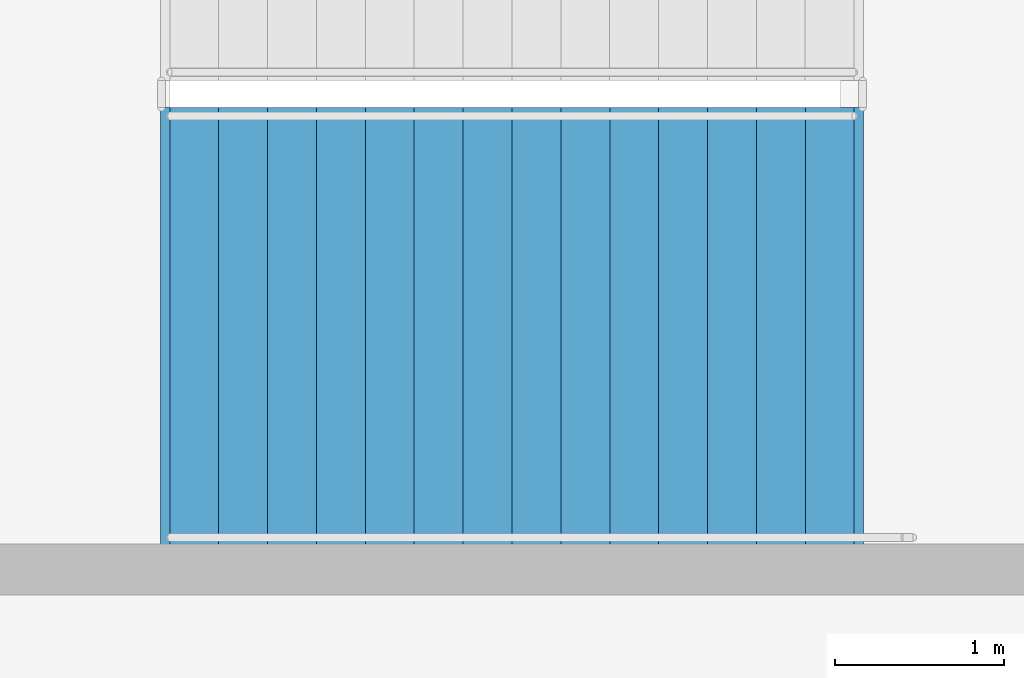
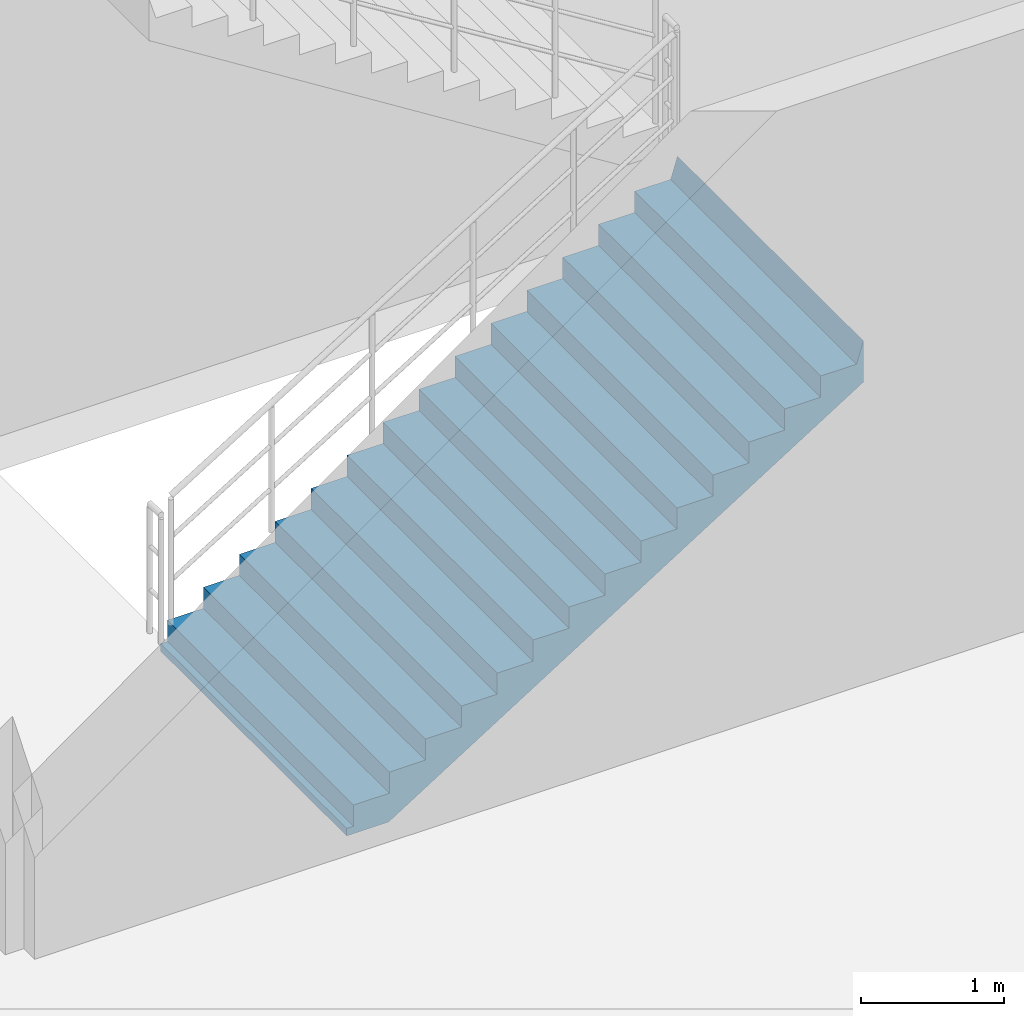
# One storey, part 72 of 93: 1 stair flight, 1 element without a shape of its own.
"""IFC4 building model written with IfcOpenShell, lengths in metres."""

import ifcopenshell
import ifcopenshell.guid

model = None  # the IFC model being written
_history = None  # IfcOwnerHistory: only IFC2X3 demands one
_inside = {}  # id of a spatial element -> (the spatial element, [elements in it])
_under = {}  # id of a project, library or spatial element -> (it, [spatial elements below it])
_declared = {}  # id of a project -> (the project, [libraries it declares])
_typed = {}  # id of a type object -> (the type object, [elements of that type])
_made_of = {}  # id of a material, layer set ... -> (it, [elements and type objects made of it])


def new_model(schema):
    """Start an empty IFC model of exactly this schema.

    Asked for "IFC4X3", IfcOpenShell would pick the latest addendum, in which some entities
    have other attributes; the version numbers below select the first issue.
    IFC2X3 requires an IfcOwnerHistory on every rooted entity: one is made here for all.
    """
    global model, _history
    if schema == "IFC4X3":
        model = ifcopenshell.file(schema_version=(4, 3, 0, 0))
    else:
        model = ifcopenshell.file(schema=schema)
    _inside.clear()
    _under.clear()
    _declared.clear()
    _typed.clear()
    _made_of.clear()
    _history = None
    if model.schema == "IFC2X3":
        org = make("IfcOrganization", Name="unknown")
        user = make(
            "IfcPersonAndOrganization",
            ThePerson=make("IfcPerson", FamilyName="unknown"),
            TheOrganization=org,
        )
        app = make(
            "IfcApplication",
            ApplicationDeveloper=org,
            Version="unknown",
            ApplicationFullName="unknown",
            ApplicationIdentifier="unknown",
        )
        _history = make(
            "IfcOwnerHistory",
            OwningUser=user,
            OwningApplication=app,
            ChangeAction="ADDED",
            CreationDate=0,
        )
    return model


def make(cls, **values):
    """One entity of the class cls with the attributes given. An attribute that is None is left unset."""
    return model.create_entity(
        cls, **{name: value for name, value in values.items() if value is not None}
    )


def rooted(cls, **values):
    """An entity with a GlobalId (a new one), such as an element, a storey or a relation."""
    return make(cls, GlobalId=ifcopenshell.guid.new(), OwnerHistory=_history, **values)


def si_unit(unit_type, name, prefix=None):
    """IfcSIUnit, for example si_unit("LENGTHUNIT", "METRE", prefix="MILLI")."""
    return make("IfcSIUnit", UnitType=unit_type, Prefix=prefix, Name=name)


def assignment(units):
    """IfcUnitAssignment: the units of a project."""
    return None if units is None else make("IfcUnitAssignment", Units=units)


def point(xyz):
    """IfcCartesianPoint."""
    return None if xyz is None else make("IfcCartesianPoint", Coordinates=xyz)


def direction(xyz):
    """IfcDirection."""
    return None if xyz is None else make("IfcDirection", DirectionRatios=xyz)


def frame(location, z_axis=None, x_axis=None):
    """IfcAxis2Placement3D, a coordinate frame: its origin and axes. An axis left out is left unset."""
    return make(
        "IfcAxis2Placement3D",
        Location=point(location),
        Axis=direction(z_axis),
        RefDirection=direction(x_axis),
    )


def origin():
    """The frame at (0, 0, 0) with its axes left unset."""
    return frame((0.0, 0.0, 0.0))


def place(relative_to, where):
    """IfcLocalPlacement: puts the frame where relative to a parent placement (None: the world)."""
    return make(
        "IfcLocalPlacement", PlacementRelTo=relative_to, RelativePlacement=where
    )


def context(
    kind, dimensions, precision=None, world=None, true_north=None, identifier=None
):
    """IfcGeometricRepresentationContext, for example the 3D "Model" context."""
    return make(
        "IfcGeometricRepresentationContext",
        ContextIdentifier=identifier,
        ContextType=kind,
        CoordinateSpaceDimension=dimensions,
        Precision=precision,
        WorldCoordinateSystem=world,
        TrueNorth=true_north,
    )


def subcontext(parent, identifier, kind, view, scale=None):
    """IfcGeometricRepresentationSubContext, for example "Body" below "Model"."""
    return make(
        "IfcGeometricRepresentationSubContext",
        ContextIdentifier=identifier,
        ContextType=kind,
        ParentContext=parent,
        TargetScale=scale,
        TargetView=view,
    )


def project(units=None, contexts=None):
    """IfcProject with its units and contexts."""
    return rooted(
        "IfcProject",
        Name="project",
        RepresentationContexts=contexts,
        UnitsInContext=assignment(units),
    )


def spatial(cls, under=None, at=None, **own):
    """A site, building, storey or space (cls), placed at a placement, below another one or the project."""
    s = rooted(cls, ObjectPlacement=at, **own)
    if under is not None:
        _under.setdefault(under.id(), (under, []))[1].append(s)
    return s


def polyline(points):
    """IfcPolyline through the points."""
    return make("IfcPolyline", Points=[point(p) for p in points])


def outline(outer, holes=None, kind="AREA"):
    """IfcArbitraryClosedProfileDef: a profile drawn as a closed curve; with holes, ...WithVoids."""
    if holes is None:
        return make("IfcArbitraryClosedProfileDef", ProfileType=kind, OuterCurve=outer)
    return make(
        "IfcArbitraryProfileDefWithVoids",
        ProfileType=kind,
        OuterCurve=outer,
        InnerCurves=holes,
    )


def extrude(swept, where, along, depth):
    """IfcExtrudedAreaSolid: the profile swept, set in the frame where, extruded along a direction by depth."""
    return make(
        "IfcExtrudedAreaSolid",
        SweptArea=swept,
        Position=where,
        ExtrudedDirection=direction(along),
        Depth=depth,
    )


def shape(context_of_items, identifier, shape_type, items):
    """IfcShapeRepresentation: the items that make up one representation, for example the "Body"."""
    return make(
        "IfcShapeRepresentation",
        ContextOfItems=context_of_items,
        RepresentationIdentifier=identifier,
        RepresentationType=shape_type,
        Items=items,
    )


def material(Name=None, Category=None):
    """IfcMaterial."""
    return make("IfcMaterial", Name=Name, Category=Category)


def made_of(thing, what):
    """Note that an element or type object is made of a material, layer set ...; save() writes the relation."""
    if what is not None:
        _made_of.setdefault(what.id(), (what, []))[1].append(thing)
    return thing


def type_object(cls, material=None, **own):
    """A type object (cls), such as IfcWallType, which elements share."""
    return made_of(rooted(cls, **own), material)


def element(
    cls,
    number,
    at=None,
    inside=None,
    cuts=None,
    type_object=None,
    material=None,
    context=None,
    identifier="Body",
    shape_type=None,
    held_by="IfcProductDefinitionShape",
    body=None,
    shapes=None,
    **own,
):
    """One element of the class cls, such as IfcWall. Its Tag is "e" and its number.

    at: its placement. inside: the storey or other place that contains it. cuts: it is an
    opening in that element (IfcRelVoidsElement). A single representation is given by context,
    identifier, shape_type and body (its items); several are given by shapes. held_by: the class
    of the entity that holds the representations. save() writes the other relations.
    """
    e = rooted(cls, Tag="e%d" % number, ObjectPlacement=at, **own)
    if body is not None:
        shapes = [shape(context, identifier, shape_type, body)]
    if shapes is not None:
        e.Representation = make(held_by, Representations=shapes)
    if inside is not None:
        _inside.setdefault(inside.id(), (inside, []))[1].append(e)
    if cuts is not None:
        rooted(
            "IfcRelVoidsElement", RelatingBuildingElement=cuts, RelatedOpeningElement=e
        )
    if type_object is not None:
        _typed.setdefault(type_object.id(), (type_object, []))[1].append(e)
    return made_of(e, material)


def aggregate(whole, parts):
    """IfcRelAggregates: a whole, such as a stair, and the parts it consists of."""
    return rooted("IfcRelAggregates", RelatingObject=whole, RelatedObjects=parts)


def save(model, path):
    """Write the relations noted so far, then the file.

    IfcRelAggregates (storeys below a building ...), IfcRelContainedInSpatialStructure (elements
    in a storey), IfcRelDefinesByType, IfcRelAssociatesMaterial and IfcRelDeclares: one each for
    every whole, place, type object, material and project.
    """
    for whole, parts in _under.values():
        aggregate(whole, parts)
    for where, things in _inside.values():
        rooted(
            "IfcRelContainedInSpatialStructure",
            RelatedElements=things,
            RelatingStructure=where,
        )
    for kind, things in _typed.values():
        rooted("IfcRelDefinesByType", RelatedObjects=things, RelatingType=kind)
    for what, things in _made_of.values():
        rooted("IfcRelAssociatesMaterial", RelatedObjects=things, RelatingMaterial=what)
    for by, libraries in _declared.values():
        rooted("IfcRelDeclares", RelatingContext=by, RelatedDefinitions=libraries)
    model.write(path)


model = new_model("IFC4")

# Units and contexts
model_context = context("Model", 3, precision=1e-05, world=origin(), true_north=direction((0.0, 1.0)))
body_context = subcontext(model_context, "Body", "Model", "MODEL_VIEW")
ifc_project = project(units=[si_unit("LENGTHUNIT", "METRE"), si_unit("AREAUNIT", "SQUARE_METRE"), si_unit("VOLUMEUNIT", "CUBIC_METRE"), si_unit("PLANEANGLEUNIT", "RADIAN"), si_unit("MASSUNIT", "GRAM", prefix="KILO")], contexts=[model_context])

# Site, building, storey
site_placement = place(None, origin())
site = spatial("IfcSite", under=ifc_project, at=site_placement, CompositionType="ELEMENT")
building_placement = place(site_placement, origin())
building = spatial("IfcBuilding", under=site, at=building_placement, Name="Cinderbank Siding Concert Hall", CompositionType="ELEMENT")
storey_placement = place(building_placement, origin())
storey = spatial("IfcBuildingStorey", under=building, at=storey_placement, Name="L01", CompositionType="ELEMENT", Elevation=0.0)

# Stair, stair flight
ifc_material = material(Name="Reinforced concrete AS 3600 N50 (50 MPa)", Category="concrete")
stair_type = type_object("IfcStairType", Name="STR-B Dogleg Exit Stair 2600mm", PredefinedType="HALF_TURN_STAIR", material=ifc_material)
stair_placement = place(storey_placement, origin())
stair = element("IfcStair", 1, at=stair_placement, inside=storey, type_object=stair_type, Name="L01 Southeast Concourse Exit Stair ST-10", PredefinedType="HALF_TURN_STAIR")
stair_flight_type = type_object("IfcStairFlightType", Name="SFL-B Concrete Stair Flight 2600mm", PredefinedType="STRAIGHT", material=ifc_material)
stair_flight_placement = place(storey_placement, frame((155.10009765625, 19.10009765625, 0.0), z_axis=(0.0, 0.0, 1.0), x_axis=(1.0, 0.0, 0.0)))
stair_flight = element("IfcStairFlight", 2, at=stair_flight_placement, type_object=stair_flight_type, Name="ST-10 flight 1", NumberOfRisers=15, NumberOfTreads=14, PredefinedType="STRAIGHT", RiserHeight=0.18, TreadLength=0.29, context=body_context, shape_type="SweptSolid", body=[
    extrude(outline(polyline([(0.0, 0.0), (0.0, 0.179931640625), (0.2900390625, 0.179931640625), (0.2900390625, 0.360107421875), (0.580078125, 0.360107421875), (0.580078125, 0.5400390625), (0.8701171875, 0.5400390625), (0.8701171875, 0.719970703125), (1.159912109375, 0.719970703125), (1.159912109375, 0.89990234375), (1.449951171875, 0.89990234375), (1.449951171875, 1.080078125), (1.739990234375, 1.080078125), (1.739990234375, 1.260009765625), (2.030029296875, 1.260009765625), (2.030029296875, 1.43994140625), (2.320068359375, 1.43994140625), (2.320068359375, 1.6201171875), (2.610107421875, 1.6201171875), (2.610107421875, 1.800048828125), (2.89990234375, 1.800048828125), (2.89990234375, 1.97998046875), (3.18994140625, 1.97998046875), (3.18994140625, 2.159912109375), (3.47998046875, 2.159912109375), (3.47998046875, 2.340087890625), (3.77001953125, 2.340087890625), (3.77001953125, 2.52001953125), (4.06005859375, 2.52001953125), (4.114990234375, 2.699951171875), (4.114990234375, 2.343505859375), (4.11474609375, 2.34375), (4.11474609375, 2.343994140625), (4.11474609375, 2.34423828125), (4.11474609375, 2.344482421875), (4.11474609375, 2.3447265625), (4.11474609375, 2.344970703125), (4.11474609375, 2.34521484375), (4.11474609375, 2.345458984375), (4.11474609375, 2.345703125), (4.11474609375, 2.345947265625), (4.11474609375, 2.34619140625), (4.11474609375, 2.346435546875), (4.114501953125, 2.346435546875), (4.114501953125, 2.34619140625), (4.114501953125, 2.345947265625), (4.114501953125, 2.345703125), (4.114501953125, 2.345458984375), (4.114501953125, 2.34521484375), (4.114501953125, 2.344970703125), (4.114501953125, 2.3447265625), (4.114501953125, 2.344482421875), (4.114501953125, 2.34423828125), (4.114501953125, 2.343994140625), (4.114501953125, 2.34375), (4.114501953125, 2.343505859375), (4.1142578125, 2.34375), (4.1142578125, 2.343994140625), (4.1142578125, 2.34423828125), (4.1142578125, 2.344482421875), (4.1142578125, 2.3447265625), (4.1142578125, 2.344970703125), (4.1142578125, 2.34521484375), (4.1142578125, 2.345458984375), (4.1142578125, 2.345703125), (4.1142578125, 2.345947265625), (4.1142578125, 2.34619140625), (4.1142578125, 2.346435546875), (4.114013671875, 2.346435546875), (4.114013671875, 2.34619140625), (4.114013671875, 2.345947265625), (4.114013671875, 2.345703125), (4.114013671875, 2.345458984375), (4.114013671875, 2.34521484375), (4.114013671875, 2.344970703125), (4.114013671875, 2.3447265625), (4.114013671875, 2.344482421875), (4.114013671875, 2.34423828125), (4.114013671875, 2.343994140625), (4.114013671875, 2.34375), (4.114013671875, 2.343505859375), (4.11376953125, 2.34375), (4.11376953125, 2.343994140625), (4.11376953125, 2.34423828125), (4.11376953125, 2.344482421875), (4.11376953125, 2.3447265625), (4.11376953125, 2.344970703125), (4.11376953125, 2.34521484375), (4.11376953125, 2.345458984375), (4.11376953125, 2.345703125), (4.11376953125, 2.345947265625), (4.11376953125, 2.34619140625), (4.11376953125, 2.346435546875), (4.113525390625, 2.346435546875), (4.113525390625, 2.34619140625), (4.113525390625, 2.345947265625), (4.113525390625, 2.345703125), (4.113525390625, 2.345458984375), (4.113525390625, 2.34521484375), (4.113525390625, 2.344970703125), (4.113525390625, 2.3447265625), (4.113525390625, 2.344482421875), (4.113525390625, 2.34423828125), (4.113525390625, 2.343994140625), (4.113525390625, 2.34375), (4.113525390625, 2.343505859375), (4.11328125, 2.34375), (4.11328125, 2.343994140625), (4.11328125, 2.34423828125), (4.11328125, 2.344482421875), (4.11328125, 2.3447265625), (4.11328125, 2.344970703125), (4.11328125, 2.34521484375), (4.11328125, 2.345458984375), (4.11328125, 2.345703125), (4.11328125, 2.345947265625), (4.11328125, 2.34619140625), (4.11328125, 2.346435546875), (4.113037109375, 2.346435546875), (4.113037109375, 2.34619140625), (4.113037109375, 2.345947265625), (4.113037109375, 2.345703125), (4.113037109375, 2.345458984375), (4.113037109375, 2.34521484375), (4.113037109375, 2.344970703125), (4.113037109375, 2.3447265625), (4.113037109375, 2.344482421875), (4.113037109375, 2.34423828125), (4.113037109375, 2.343994140625), (4.113037109375, 2.34375), (4.113037109375, 2.343505859375), (4.11279296875, 2.34375), (4.11279296875, 2.343994140625), (4.11279296875, 2.34423828125), (4.11279296875, 2.344482421875), (4.11279296875, 2.3447265625), (4.11279296875, 2.344970703125), (4.11279296875, 2.34521484375), (4.11279296875, 2.345458984375), (4.11279296875, 2.345703125), (4.11279296875, 2.345947265625), (4.11279296875, 2.34619140625), (4.11279296875, 2.346435546875), (4.112548828125, 2.346435546875), (4.112548828125, 2.34619140625), (4.112548828125, 2.345947265625), (4.112548828125, 2.345703125), (4.112548828125, 2.345458984375), (4.112548828125, 2.34521484375), (4.112548828125, 2.344970703125), (4.112548828125, 2.3447265625), (4.112548828125, 2.344482421875), (4.112548828125, 2.34423828125), (4.112548828125, 2.343994140625), (4.112548828125, 2.34375), (4.112548828125, 2.343505859375), (4.1123046875, 2.34375), (4.1123046875, 2.343994140625), (4.1123046875, 2.34423828125), (4.1123046875, 2.344482421875), (4.1123046875, 2.3447265625), (4.1123046875, 2.344970703125), (4.1123046875, 2.34521484375), (4.1123046875, 2.345458984375), (4.1123046875, 2.345703125), (4.1123046875, 2.345947265625), (4.1123046875, 2.34619140625), (4.1123046875, 2.346435546875), (4.112060546875, 2.346435546875), (4.112060546875, 2.34619140625), (4.112060546875, 2.345947265625), (4.112060546875, 2.345703125), (4.112060546875, 2.345458984375), (4.112060546875, 2.34521484375), (4.112060546875, 2.344970703125), (4.112060546875, 2.3447265625), (4.112060546875, 2.344482421875), (4.112060546875, 2.34423828125), (4.112060546875, 2.343994140625), (4.112060546875, 2.34375), (4.112060546875, 2.343505859375), (4.11181640625, 2.34375), (4.11181640625, 2.343994140625), (4.11181640625, 2.34423828125), (4.11181640625, 2.344482421875), (4.11181640625, 2.3447265625), (4.11181640625, 2.344970703125), (4.11181640625, 2.34521484375), (4.11181640625, 2.345458984375), (4.11181640625, 2.345703125), (4.11181640625, 2.345947265625), (4.11181640625, 2.34619140625), (4.11181640625, 2.346435546875), (4.111572265625, 2.346435546875), (4.111572265625, 2.34619140625), (4.111572265625, 2.345947265625), (4.111572265625, 2.345703125), (4.111572265625, 2.345458984375), (4.111572265625, 2.34521484375), (4.111572265625, 2.344970703125), (4.111572265625, 2.3447265625), (4.111572265625, 2.344482421875), (4.111572265625, 2.34423828125), (4.111572265625, 2.343994140625), (4.111572265625, 2.34375), (4.111572265625, 2.343505859375), (4.111328125, 2.34375), (4.111328125, 2.343994140625), (4.111328125, 2.34423828125), (4.111328125, 2.344482421875), (4.111328125, 2.3447265625), (4.111328125, 2.344970703125), (4.111328125, 2.34521484375), (4.111328125, 2.345458984375), (4.111328125, 2.345703125), (4.111328125, 2.345947265625), (4.111328125, 2.34619140625), (4.111328125, 2.346435546875), (4.111083984375, 2.346435546875), (4.111083984375, 2.34619140625), (4.111083984375, 2.345947265625), (4.111083984375, 2.345703125), (4.111083984375, 2.345458984375), (4.111083984375, 2.34521484375), (4.111083984375, 2.344970703125), (4.111083984375, 2.3447265625), (4.111083984375, 2.344482421875), (4.111083984375, 2.34423828125), (4.111083984375, 2.343994140625), (4.111083984375, 2.34375), (4.111083984375, 2.343505859375), (4.11083984375, 2.34375), (4.11083984375, 2.343994140625), (4.11083984375, 2.34423828125), (4.11083984375, 2.344482421875), (4.11083984375, 2.3447265625), (4.11083984375, 2.344970703125), (4.11083984375, 2.34521484375), (4.11083984375, 2.345458984375), (4.11083984375, 2.345703125), (4.11083984375, 2.345947265625), (4.11083984375, 2.34619140625), (4.11083984375, 2.346435546875), (4.110595703125, 2.346435546875), (4.110595703125, 2.34619140625), (4.110595703125, 2.345947265625), (4.110595703125, 2.345703125), (4.110595703125, 2.345458984375), (4.110595703125, 2.34521484375), (4.110595703125, 2.344970703125), (4.110595703125, 2.3447265625), (4.110595703125, 2.344482421875), (4.110595703125, 2.34423828125), (4.110595703125, 2.343994140625), (4.110595703125, 2.34375), (4.110595703125, 2.343505859375), (4.1103515625, 2.34375), (4.1103515625, 2.343994140625), (4.1103515625, 2.34423828125), (4.1103515625, 2.344482421875), (4.1103515625, 2.3447265625), (4.1103515625, 2.344970703125), (4.1103515625, 2.34521484375), (4.1103515625, 2.345458984375), (4.1103515625, 2.345703125), (4.1103515625, 2.345947265625), (4.1103515625, 2.34619140625), (4.1103515625, 2.346435546875), (4.110107421875, 2.346435546875), (4.110107421875, 2.34619140625), (4.110107421875, 2.345947265625), (4.110107421875, 2.345703125), (4.110107421875, 2.345458984375), (4.110107421875, 2.34521484375), (4.110107421875, 2.344970703125), (4.110107421875, 2.3447265625), (4.110107421875, 2.344482421875), (4.110107421875, 2.34423828125), (4.110107421875, 2.343994140625), (4.110107421875, 2.34375), (4.110107421875, 2.343505859375), (4.10986328125, 2.34375), (4.10986328125, 2.343994140625), (4.10986328125, 2.34423828125), (4.10986328125, 2.344482421875), (4.10986328125, 2.3447265625), (4.10986328125, 2.344970703125), (4.10986328125, 2.34521484375), (4.10986328125, 2.345458984375), (4.10986328125, 2.345703125), (4.10986328125, 2.345947265625), (4.10986328125, 2.34619140625), (4.10986328125, 2.346435546875), (4.109619140625, 2.346435546875), (4.109619140625, 2.34619140625), (4.109619140625, 2.345947265625), (4.109619140625, 2.345703125), (4.109619140625, 2.345458984375), (4.109619140625, 2.34521484375), (4.109619140625, 2.344970703125), (4.109619140625, 2.3447265625), (4.109619140625, 2.344482421875), (4.109619140625, 2.34423828125), (4.109619140625, 2.343994140625), (4.109619140625, 2.34375), (4.109619140625, 2.343505859375), (4.109375, 2.34375), (4.109375, 2.343994140625), (4.109375, 2.34423828125), (4.109375, 2.344482421875), (4.109375, 2.3447265625), (4.109375, 2.344970703125), (4.109375, 2.34521484375), (4.109375, 2.345458984375), (4.109375, 2.345703125), (4.109375, 2.345947265625), (4.109375, 2.34619140625), (4.109375, 2.346435546875), (4.109130859375, 2.346435546875), (4.109130859375, 2.34619140625), (4.109130859375, 2.345947265625), (4.109130859375, 2.345703125), (4.109130859375, 2.345458984375), (4.109130859375, 2.34521484375), (4.109130859375, 2.344970703125), (4.109130859375, 2.3447265625), (4.109130859375, 2.344482421875), (4.109130859375, 2.34423828125), (4.109130859375, 2.343994140625), (4.109130859375, 2.34375), (4.109130859375, 2.343505859375), (4.10888671875, 2.34375), (4.10888671875, 2.343994140625), (4.10888671875, 2.34423828125), (4.10888671875, 2.344482421875), (4.10888671875, 2.3447265625), (4.10888671875, 2.344970703125), (4.10888671875, 2.34521484375), (4.10888671875, 2.345458984375), (4.10888671875, 2.345703125), (4.10888671875, 2.345947265625), (4.10888671875, 2.34619140625), (4.10888671875, 2.346435546875), (4.108642578125, 2.346435546875), (4.108642578125, 2.34619140625), (4.108642578125, 2.345947265625), (4.108642578125, 2.345703125), (4.108642578125, 2.345458984375), (4.108642578125, 2.34521484375), (4.108642578125, 2.344970703125), (4.108642578125, 2.3447265625), (4.108642578125, 2.344482421875), (4.108642578125, 2.34423828125), (4.108642578125, 2.343994140625), (4.108642578125, 2.34375), (4.108642578125, 2.343505859375), (0.2841796875, -0.06396484375), (-0.048583984375, -0.063720703125), (-0.048583984375, -0.0634765625), (-0.048583984375, -0.063232421875), (-0.048583984375, -0.06298828125), (-0.048583984375, -0.062744140625), (-0.048583984375, -0.0625), (-0.048583984375, -0.062255859375), (-0.048583984375, -0.06201171875), (-0.048583984375, -0.061767578125), (-0.048583984375, -0.0615234375), (-0.048583984375, -0.061279296875), (-0.048583984375, -0.06103515625), (-0.048828125, -0.06103515625), (-0.048828125, -0.061279296875), (-0.048828125, -0.0615234375), (-0.048828125, -0.061767578125), (-0.048828125, -0.06201171875), (-0.048828125, -0.062255859375), (-0.048828125, -0.0625), (-0.048828125, -0.062744140625), (-0.048828125, -0.06298828125), (-0.048828125, -0.063232421875), (-0.048828125, -0.0634765625), (-0.048828125, -0.063720703125), (-0.048828125, -0.06396484375), (-0.049072265625, -0.063720703125), (-0.049072265625, -0.0634765625), (-0.049072265625, -0.063232421875), (-0.049072265625, -0.06298828125), (-0.049072265625, -0.062744140625), (-0.049072265625, -0.0625), (-0.049072265625, -0.062255859375), (-0.049072265625, -0.06201171875), (-0.049072265625, -0.061767578125), (-0.049072265625, -0.0615234375), (-0.049072265625, -0.061279296875), (-0.049072265625, -0.06103515625), (-0.04931640625, -0.06103515625), (-0.04931640625, -0.061279296875), (-0.04931640625, -0.0615234375), (-0.04931640625, -0.061767578125), (-0.04931640625, -0.06201171875), (-0.04931640625, -0.062255859375), (-0.04931640625, -0.0625), (-0.04931640625, -0.062744140625), (-0.04931640625, -0.06298828125), (-0.04931640625, -0.063232421875), (-0.04931640625, -0.0634765625), (-0.04931640625, -0.063720703125), (-0.04931640625, -0.06396484375), (-0.049560546875, -0.063720703125), (-0.049560546875, -0.0634765625), (-0.049560546875, -0.063232421875), (-0.049560546875, -0.06298828125), (-0.049560546875, -0.062744140625), (-0.049560546875, -0.0625), (-0.049560546875, -0.062255859375), (-0.049560546875, -0.06201171875), (-0.049560546875, -0.061767578125), (-0.049560546875, -0.0615234375), (-0.049560546875, -0.061279296875), (-0.049560546875, -0.06103515625), (-0.0498046875, -0.06103515625), (-0.0498046875, -0.061279296875), (-0.0498046875, -0.0615234375), (-0.0498046875, -0.061767578125), (-0.0498046875, -0.06201171875), (-0.0498046875, -0.062255859375), (-0.0498046875, -0.0625), (-0.0498046875, -0.062744140625), (-0.0498046875, -0.06298828125), (-0.0498046875, -0.063232421875), (-0.0498046875, -0.0634765625), (-0.0498046875, -0.063720703125), (-0.0498046875, -0.06396484375), (-0.050048828125, -0.063720703125), (-0.050048828125, -0.0634765625), (-0.050048828125, -0.063232421875), (-0.050048828125, -0.06298828125), (-0.050048828125, -0.062744140625), (-0.050048828125, -0.0625), (-0.050048828125, -0.062255859375), (-0.050048828125, -0.06201171875), (-0.050048828125, -0.061767578125), (-0.050048828125, -0.0615234375), (-0.050048828125, -0.061279296875), (-0.050048828125, -0.06103515625), (-0.05029296875, -0.06103515625), (-0.05029296875, -0.061279296875), (-0.05029296875, -0.0615234375), (-0.05029296875, -0.061767578125), (-0.05029296875, -0.06201171875), (-0.05029296875, -0.062255859375), (-0.05029296875, -0.0625), (-0.05029296875, -0.062744140625), (-0.05029296875, -0.06298828125), (-0.05029296875, -0.063232421875), (-0.05029296875, -0.0634765625), (-0.05029296875, -0.063720703125), (-0.05029296875, -0.06396484375), (-0.050537109375, -0.063720703125), (-0.050537109375, -0.0634765625), (-0.050537109375, -0.063232421875), (-0.050537109375, -0.06298828125), (-0.050537109375, -0.062744140625), (-0.050537109375, -0.0625), (-0.050537109375, -0.062255859375), (-0.050537109375, -0.06201171875), (-0.050537109375, -0.061767578125), (-0.050537109375, -0.0615234375), (-0.050537109375, -0.061279296875), (-0.050537109375, -0.06103515625), (-0.05078125, -0.06103515625), (-0.05078125, -0.061279296875), (-0.05078125, -0.0615234375), (-0.05078125, -0.061767578125), (-0.05078125, -0.06201171875), (-0.05078125, -0.062255859375), (-0.05078125, -0.0625), (-0.05078125, -0.062744140625), (-0.05078125, -0.06298828125), (-0.05078125, -0.063232421875), (-0.05078125, -0.0634765625), (-0.05078125, -0.063720703125), (-0.05078125, -0.06396484375), (-0.051025390625, -0.063720703125), (-0.051025390625, -0.0634765625), (-0.051025390625, -0.063232421875), (-0.051025390625, -0.06298828125), (-0.051025390625, -0.062744140625), (-0.051025390625, -0.0625), (-0.051025390625, -0.062255859375), (-0.051025390625, -0.06201171875), (-0.051025390625, -0.061767578125), (-0.051025390625, -0.0615234375), (-0.051025390625, -0.061279296875), (-0.051025390625, -0.06103515625), (-0.05126953125, -0.06103515625), (-0.05126953125, -0.061279296875), (-0.05126953125, -0.0615234375), (-0.05126953125, -0.061767578125), (-0.05126953125, -0.06201171875), (-0.05126953125, -0.062255859375), (-0.05126953125, -0.0625), (-0.05126953125, -0.062744140625), (-0.05126953125, -0.06298828125), (-0.05126953125, -0.063232421875), (-0.05126953125, -0.0634765625), (-0.05126953125, -0.063720703125), (-0.05126953125, -0.06396484375), (-0.051513671875, -0.063720703125), (-0.051513671875, -0.0634765625), (-0.051513671875, -0.063232421875), (-0.051513671875, -0.06298828125), (-0.051513671875, -0.062744140625), (-0.051513671875, -0.0625), (-0.051513671875, -0.062255859375), (-0.051513671875, -0.06201171875), (-0.051513671875, -0.061767578125), (-0.051513671875, -0.0615234375), (-0.051513671875, -0.061279296875), (-0.051513671875, -0.06103515625), (-0.0517578125, -0.06103515625), (-0.0517578125, -0.061279296875), (-0.0517578125, -0.0615234375), (-0.0517578125, -0.061767578125), (-0.0517578125, -0.06201171875), (-0.0517578125, -0.062255859375), (-0.0517578125, -0.0625), (-0.0517578125, -0.062744140625), (-0.0517578125, -0.06298828125), (-0.0517578125, -0.063232421875), (-0.0517578125, -0.0634765625), (-0.0517578125, -0.063720703125), (-0.0517578125, -0.06396484375), (-0.052001953125, -0.063720703125), (-0.052001953125, -0.0634765625), (-0.052001953125, -0.063232421875), (-0.052001953125, -0.06298828125), (-0.052001953125, -0.062744140625), (-0.052001953125, -0.0625), (-0.052001953125, -0.062255859375), (-0.052001953125, -0.06201171875), (-0.052001953125, -0.061767578125), (-0.052001953125, -0.0615234375), (-0.052001953125, -0.061279296875), (-0.052001953125, -0.06103515625), (-0.05224609375, -0.06103515625), (-0.05224609375, -0.061279296875), (-0.05224609375, -0.0615234375), (-0.05224609375, -0.061767578125), (-0.05224609375, -0.06201171875), (-0.05224609375, -0.062255859375), (-0.05224609375, -0.0625), (-0.05224609375, -0.062744140625), (-0.05224609375, -0.06298828125), (-0.05224609375, -0.063232421875), (-0.05224609375, -0.0634765625), (-0.05224609375, -0.063720703125), (-0.05224609375, -0.06396484375), (-0.052490234375, -0.063720703125), (-0.052490234375, -0.0634765625), (-0.052490234375, -0.063232421875), (-0.052490234375, -0.06298828125), (-0.052490234375, -0.062744140625), (-0.052490234375, -0.0625), (-0.052490234375, -0.062255859375), (-0.052490234375, -0.06201171875), (-0.052490234375, -0.061767578125), (-0.052490234375, -0.0615234375), (-0.052490234375, -0.061279296875), (-0.052490234375, -0.06103515625), (-0.052734375, -0.06103515625), (-0.052734375, -0.061279296875), (-0.052734375, -0.0615234375), (-0.052734375, -0.061767578125), (-0.052734375, -0.06201171875), (-0.052734375, -0.062255859375), (-0.052734375, -0.0625), (-0.052734375, -0.062744140625), (-0.052734375, -0.06298828125), (-0.052734375, -0.063232421875), (-0.052734375, -0.0634765625), (-0.052734375, -0.063720703125), (-0.052734375, -0.06396484375), (-0.052978515625, -0.063720703125), (-0.052978515625, -0.0634765625), (-0.052978515625, -0.063232421875), (-0.052978515625, -0.06298828125), (-0.052978515625, -0.062744140625), (-0.052978515625, -0.0625), (-0.052978515625, -0.062255859375), (-0.052978515625, -0.06201171875), (-0.052978515625, -0.061767578125), (-0.052978515625, -0.0615234375), (-0.052978515625, -0.061279296875), (-0.052978515625, -0.06103515625), (-0.05322265625, -0.06103515625), (-0.05322265625, -0.061279296875), (-0.05322265625, -0.0615234375), (-0.05322265625, -0.061767578125), (-0.05322265625, -0.06201171875), (-0.05322265625, -0.062255859375), (-0.05322265625, -0.0625), (-0.05322265625, -0.062744140625), (-0.05322265625, -0.06298828125), (-0.05322265625, -0.063232421875), (-0.05322265625, -0.0634765625), (-0.05322265625, -0.063720703125), (-0.05322265625, -0.06396484375), (-0.053466796875, -0.063720703125), (-0.053466796875, -0.0634765625), (-0.053466796875, -0.063232421875), (-0.053466796875, -0.06298828125), (-0.053466796875, -0.062744140625), (-0.053466796875, -0.0625), (-0.053466796875, -0.062255859375), (-0.053466796875, -0.06201171875), (-0.053466796875, -0.061767578125), (-0.053466796875, -0.0615234375), (-0.053466796875, -0.061279296875), (-0.053466796875, -0.06103515625), (-0.0537109375, -0.06103515625), (-0.0537109375, -0.061279296875), (-0.0537109375, -0.0615234375), (-0.0537109375, -0.061767578125), (-0.0537109375, -0.06201171875), (-0.0537109375, -0.062255859375), (-0.0537109375, -0.0625), (-0.0537109375, -0.062744140625), (-0.0537109375, -0.06298828125), (-0.0537109375, -0.063232421875), (-0.0537109375, -0.0634765625), (-0.0537109375, -0.063720703125), (-0.0537109375, -0.06396484375), (-0.053955078125, -0.063720703125), (-0.053955078125, -0.0634765625), (-0.053955078125, -0.063232421875), (-0.053955078125, -0.06298828125), (-0.053955078125, -0.062744140625), (-0.053955078125, -0.0625), (-0.053955078125, -0.062255859375), (-0.053955078125, -0.06201171875), (-0.053955078125, -0.061767578125), (-0.053955078125, -0.0615234375), (-0.053955078125, -0.061279296875), (-0.053955078125, -0.06103515625), (-0.05419921875, -0.06103515625), (-0.05419921875, -0.061279296875), (-0.05419921875, -0.0615234375), (-0.05419921875, -0.061767578125), (-0.05419921875, -0.06201171875), (-0.05419921875, -0.062255859375), (-0.05419921875, -0.0625), (-0.05419921875, -0.062744140625), (-0.05419921875, -0.06298828125), (-0.05419921875, -0.063232421875), (-0.05419921875, -0.0634765625), (-0.05419921875, -0.063720703125), (-0.05419921875, -0.06396484375), (-0.054443359375, -0.063720703125), (-0.054443359375, -0.0634765625), (-0.054443359375, -0.063232421875), (-0.054443359375, -0.06298828125), (-0.054443359375, -0.062744140625), (-0.054443359375, -0.0625), (-0.054443359375, -0.062255859375), (-0.054443359375, -0.06201171875), (-0.054443359375, -0.061767578125), (-0.054443359375, -0.0615234375), (-0.054443359375, -0.061279296875), (-0.054443359375, -0.06103515625), (-0.0546875, -0.06103515625), (-0.0546875, -0.061279296875), (-0.0546875, -0.0615234375), (-0.0546875, -0.061767578125), (-0.0546875, -0.06201171875), (-0.0546875, -0.062255859375), (-0.0546875, -0.0625), (-0.0546875, -0.062744140625), (-0.0546875, -0.06298828125), (-0.0546875, -0.063232421875), (-0.0546875, -0.0634765625), (-0.0546875, -0.063720703125), (-0.0546875, -0.06396484375), (-0.054931640625, -0.06396484375), (-0.054931640625, 0.0), (0.0, 0.0)])), frame((0.0, 1.300048828125, 0.0), z_axis=(0.0, -1.0, 0.0), x_axis=(1.0, 0.0, 0.0)), (0.0, 0.0, 1.0), 2.60009765625),
])
aggregate(stair, [stair_flight])

save(model, "model.ifc")
